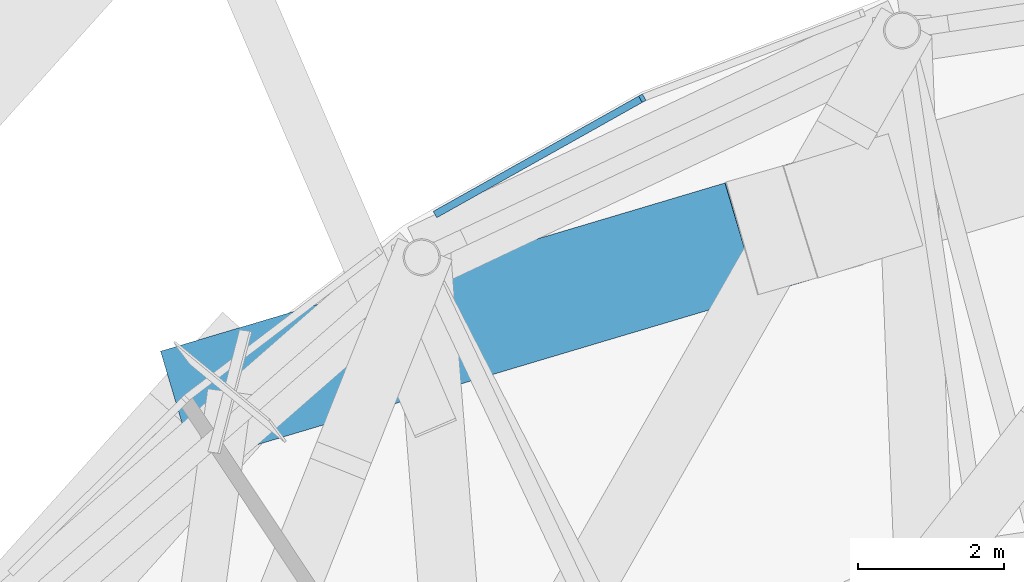
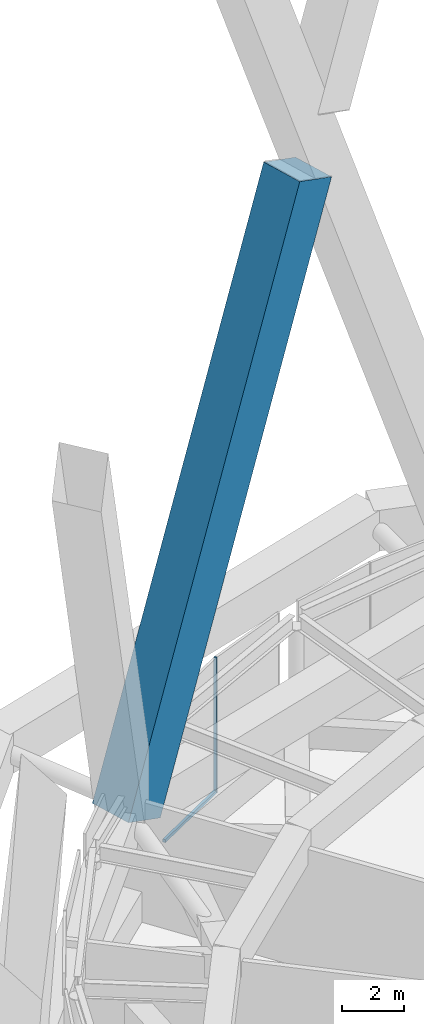
# One storey, part 42 of 65: 3 members, 1 element without a shape of its own.
"""IFC4 building model written with IfcOpenShell, lengths in metres."""

import ifcopenshell
import ifcopenshell.guid

model = None  # the IFC model being written
_history = None  # IfcOwnerHistory: only IFC2X3 demands one
_inside = {}  # id of a spatial element -> (the spatial element, [elements in it])
_under = {}  # id of a project, library or spatial element -> (it, [spatial elements below it])
_declared = {}  # id of a project -> (the project, [libraries it declares])
_typed = {}  # id of a type object -> (the type object, [elements of that type])
_made_of = {}  # id of a material, layer set ... -> (it, [elements and type objects made of it])


def new_model(schema):
    """Start an empty IFC model of exactly this schema.

    Asked for "IFC4X3", IfcOpenShell would pick the latest addendum, in which some entities
    have other attributes; the version numbers below select the first issue.
    IFC2X3 requires an IfcOwnerHistory on every rooted entity: one is made here for all.
    """
    global model, _history
    if schema == "IFC4X3":
        model = ifcopenshell.file(schema_version=(4, 3, 0, 0))
    else:
        model = ifcopenshell.file(schema=schema)
    _inside.clear()
    _under.clear()
    _declared.clear()
    _typed.clear()
    _made_of.clear()
    _history = None
    if model.schema == "IFC2X3":
        org = make("IfcOrganization", Name="unknown")
        user = make(
            "IfcPersonAndOrganization",
            ThePerson=make("IfcPerson", FamilyName="unknown"),
            TheOrganization=org,
        )
        app = make(
            "IfcApplication",
            ApplicationDeveloper=org,
            Version="unknown",
            ApplicationFullName="unknown",
            ApplicationIdentifier="unknown",
        )
        _history = make(
            "IfcOwnerHistory",
            OwningUser=user,
            OwningApplication=app,
            ChangeAction="ADDED",
            CreationDate=0,
        )
    return model


def make(cls, **values):
    """One entity of the class cls with the attributes given. An attribute that is None is left unset."""
    return model.create_entity(
        cls, **{name: value for name, value in values.items() if value is not None}
    )


def rooted(cls, **values):
    """An entity with a GlobalId (a new one), such as an element, a storey or a relation."""
    return make(cls, GlobalId=ifcopenshell.guid.new(), OwnerHistory=_history, **values)


def si_unit(unit_type, name, prefix=None):
    """IfcSIUnit, for example si_unit("LENGTHUNIT", "METRE", prefix="MILLI")."""
    return make("IfcSIUnit", UnitType=unit_type, Prefix=prefix, Name=name)


def assignment(units):
    """IfcUnitAssignment: the units of a project."""
    return None if units is None else make("IfcUnitAssignment", Units=units)


def point(xyz):
    """IfcCartesianPoint."""
    return None if xyz is None else make("IfcCartesianPoint", Coordinates=xyz)


def direction(xyz):
    """IfcDirection."""
    return None if xyz is None else make("IfcDirection", DirectionRatios=xyz)


def frame(location, z_axis=None, x_axis=None):
    """IfcAxis2Placement3D, a coordinate frame: its origin and axes. An axis left out is left unset."""
    return make(
        "IfcAxis2Placement3D",
        Location=point(location),
        Axis=direction(z_axis),
        RefDirection=direction(x_axis),
    )


def frame_2d(location, x_axis=None):
    """IfcAxis2Placement2D, a coordinate frame in the plane: its origin and x axis."""
    return make(
        "IfcAxis2Placement2D", Location=point(location), RefDirection=direction(x_axis)
    )


def origin():
    """The frame at (0, 0, 0) with its axes left unset."""
    return frame((0.0, 0.0, 0.0))


def origin_2d():
    """The frame at (0, 0) in the plane with its x axis left unset."""
    return frame_2d((0.0, 0.0))


def place(relative_to, where):
    """IfcLocalPlacement: puts the frame where relative to a parent placement (None: the world)."""
    return make(
        "IfcLocalPlacement", PlacementRelTo=relative_to, RelativePlacement=where
    )


def context(
    kind, dimensions, precision=None, world=None, true_north=None, identifier=None
):
    """IfcGeometricRepresentationContext, for example the 3D "Model" context."""
    return make(
        "IfcGeometricRepresentationContext",
        ContextIdentifier=identifier,
        ContextType=kind,
        CoordinateSpaceDimension=dimensions,
        Precision=precision,
        WorldCoordinateSystem=world,
        TrueNorth=true_north,
    )


def subcontext(parent, identifier, kind, view, scale=None):
    """IfcGeometricRepresentationSubContext, for example "Body" below "Model"."""
    return make(
        "IfcGeometricRepresentationSubContext",
        ContextIdentifier=identifier,
        ContextType=kind,
        ParentContext=parent,
        TargetScale=scale,
        TargetView=view,
    )


def project(units=None, contexts=None):
    """IfcProject with its units and contexts."""
    return rooted(
        "IfcProject",
        Name="project",
        RepresentationContexts=contexts,
        UnitsInContext=assignment(units),
    )


def spatial(cls, under=None, at=None, **own):
    """A site, building, storey or space (cls), placed at a placement, below another one or the project."""
    s = rooted(cls, ObjectPlacement=at, **own)
    if under is not None:
        _under.setdefault(under.id(), (under, []))[1].append(s)
    return s


def profile(cls, at=None, kind="AREA", **sizes):
    """A parametric profile (cls). Its sizes go by their IFC names, for example OverallWidth=200.0."""
    return make(cls, ProfileType=kind, Position=at, **sizes)


def rectangle(**sizes):
    """IfcRectangleProfileDef."""
    return profile("IfcRectangleProfileDef", **sizes)


def extrude(swept, where, along, depth):
    """IfcExtrudedAreaSolid: the profile swept, set in the frame where, extruded along a direction by depth."""
    return make(
        "IfcExtrudedAreaSolid",
        SweptArea=swept,
        Position=where,
        ExtrudedDirection=direction(along),
        Depth=depth,
    )


def shape(context_of_items, identifier, shape_type, items):
    """IfcShapeRepresentation: the items that make up one representation, for example the "Body"."""
    return make(
        "IfcShapeRepresentation",
        ContextOfItems=context_of_items,
        RepresentationIdentifier=identifier,
        RepresentationType=shape_type,
        Items=items,
    )


def material(Name=None, Category=None):
    """IfcMaterial."""
    return make("IfcMaterial", Name=Name, Category=Category)


def layer(
    of_material, thickness, ventilated=None, Name=None, Category=None, Priority=None
):
    """IfcMaterialLayer: one layer of a wall or slab, of a material (None: an air gap)."""
    return make(
        "IfcMaterialLayer",
        Material=of_material,
        LayerThickness=thickness,
        IsVentilated=ventilated,
        Name=Name,
        Category=Category,
        Priority=Priority,
    )


def layer_set(layers, Name=None):
    """IfcMaterialLayerSet."""
    return make("IfcMaterialLayerSet", MaterialLayers=layers, LayerSetName=Name)


def material_profile(
    of_material, cross_section, Name=None, Category=None, Priority=None
):
    """IfcMaterialProfile: a cross section and its material."""
    return make(
        "IfcMaterialProfile",
        Name=Name,
        Material=of_material,
        Profile=cross_section,
        Priority=Priority,
        Category=Category,
    )


def profile_set(profiles, Name=None, composite=None):
    """IfcMaterialProfileSet."""
    return make(
        "IfcMaterialProfileSet",
        Name=Name,
        MaterialProfiles=profiles,
        CompositeProfile=composite,
    )


def made_of(thing, what):
    """Note that an element or type object is made of a material, layer set ...; save() writes the relation."""
    if what is not None:
        _made_of.setdefault(what.id(), (what, []))[1].append(thing)
    return thing


def type_object(cls, material=None, **own):
    """A type object (cls), such as IfcWallType, which elements share."""
    return made_of(rooted(cls, **own), material)


def element(
    cls,
    number,
    at=None,
    inside=None,
    cuts=None,
    type_object=None,
    material=None,
    context=None,
    identifier="Body",
    shape_type=None,
    held_by="IfcProductDefinitionShape",
    body=None,
    shapes=None,
    **own,
):
    """One element of the class cls, such as IfcWall. Its Tag is "e" and its number.

    at: its placement. inside: the storey or other place that contains it. cuts: it is an
    opening in that element (IfcRelVoidsElement). A single representation is given by context,
    identifier, shape_type and body (its items); several are given by shapes. held_by: the class
    of the entity that holds the representations. save() writes the other relations.
    """
    e = rooted(cls, Tag="e%d" % number, ObjectPlacement=at, **own)
    if body is not None:
        shapes = [shape(context, identifier, shape_type, body)]
    if shapes is not None:
        e.Representation = make(held_by, Representations=shapes)
    if inside is not None:
        _inside.setdefault(inside.id(), (inside, []))[1].append(e)
    if cuts is not None:
        rooted(
            "IfcRelVoidsElement", RelatingBuildingElement=cuts, RelatedOpeningElement=e
        )
    if type_object is not None:
        _typed.setdefault(type_object.id(), (type_object, []))[1].append(e)
    return made_of(e, material)


def aggregate(whole, parts):
    """IfcRelAggregates: a whole, such as a stair, and the parts it consists of."""
    return rooted("IfcRelAggregates", RelatingObject=whole, RelatedObjects=parts)


def save(model, path):
    """Write the relations noted so far, then the file.

    IfcRelAggregates (storeys below a building ...), IfcRelContainedInSpatialStructure (elements
    in a storey), IfcRelDefinesByType, IfcRelAssociatesMaterial and IfcRelDeclares: one each for
    every whole, place, type object, material and project.
    """
    for whole, parts in _under.values():
        aggregate(whole, parts)
    for where, things in _inside.values():
        rooted(
            "IfcRelContainedInSpatialStructure",
            RelatedElements=things,
            RelatingStructure=where,
        )
    for kind, things in _typed.values():
        rooted("IfcRelDefinesByType", RelatedObjects=things, RelatingType=kind)
    for what, things in _made_of.values():
        rooted("IfcRelAssociatesMaterial", RelatedObjects=things, RelatingMaterial=what)
    for by, libraries in _declared.values():
        rooted("IfcRelDeclares", RelatingContext=by, RelatedDefinitions=libraries)
    model.write(path)


model = new_model("IFC4")

# Units and contexts
model_context = context("Model", 3, precision=1e-05, world=origin(), true_north=direction((0.0, 1.0)))
body_context = subcontext(model_context, "Body", "Model", "MODEL_VIEW")
ifc_project = project(units=[si_unit("LENGTHUNIT", "METRE"), si_unit("AREAUNIT", "SQUARE_METRE"), si_unit("VOLUMEUNIT", "CUBIC_METRE"), si_unit("PLANEANGLEUNIT", "RADIAN"), si_unit("MASSUNIT", "GRAM", prefix="KILO")], contexts=[model_context])

# Site, building, storey
site_placement = place(None, origin())
site = spatial("IfcSite", under=ifc_project, at=site_placement, CompositionType="ELEMENT")
building_placement = place(site_placement, origin())
building = spatial("IfcBuilding", under=site, at=building_placement, Name="Nagisa Residences", CompositionType="ELEMENT")
storey_placement = place(building_placement, frame((0.0, 0.0, 114.0)))
storey = spatial("IfcBuildingStorey", under=building, at=storey_placement, Name="L28", CompositionType="ELEMENT", Elevation=114.0)

# Curtain wall, members
ifc_material_1 = material(Name="Aluminium curtain wall system", Category="aluminium")
ifc_layer = layer(ifc_material_1, 0.159912109375)
ifc_layer_set = layer_set([ifc_layer], Name="CW5 CURTAIN WALL")
curtain_wall_type = type_object("IfcCurtainWallType", Name="CW5 CURTAIN WALL", PredefinedType="NOTDEFINED", material=ifc_layer_set)
curtain_wall_placement = place(storey_placement, origin())
curtain_wall = element("IfcCurtainWall", 1, at=curtain_wall_placement, inside=storey, type_object=curtain_wall_type, Name="cw:CW5:L28:15", PredefinedType="NOTDEFINED")
ifc_material_2 = material(Name="Aluminium", Category="aluminium")
ifc_material_profile_1 = material_profile(ifc_material_2, rectangle(XDim=0.10009765625, YDim=0.06005859375, at=origin_2d()), Name="CW5 MULLION 100x60")
ifc_profile_set_1 = profile_set([ifc_material_profile_1], Name="Aluminium")
member_type_1 = type_object("IfcMemberType", Name="CW5 MULLION 100x60", PredefinedType="MULLION", material=ifc_profile_set_1)
member_1_placement = place(storey_placement, frame((-12.385498046875, 32.1494140625, 0.0), z_axis=(0.0, 0.0, 1.0), x_axis=(0.489376918501, -0.872072377523, 0.0)))
member_1 = element("IfcMember", 2, at=member_1_placement, type_object=member_type_1, Name="CW5 mullion", PredefinedType="MULLION", context=body_context, shape_type="SweptSolid", body=[
    extrude(rectangle(XDim=0.10009765625, YDim=0.06005859375, at=origin_2d()), origin(), (0.0, 0.0, 1.0), 5.340087890625),
])
ifc_material_3 = material(Name="Aluminium", Category="aluminium")
ifc_material_profile_2 = material_profile(ifc_material_3, rectangle(XDim=0.10009765625, YDim=0.1201171875, at=origin_2d()), Name="CW5 TRANSOM 100x120")
ifc_profile_set_2 = profile_set([ifc_material_profile_2], Name="Aluminium")
member_type_2 = type_object("IfcMemberType", Name="CW5 TRANSOM 100x120", PredefinedType="USERDEFINED", material=ifc_profile_set_2)
member_2_placement = place(storey_placement, frame((-12.359375, 32.1640625, 0.06005859375), z_axis=(-0.87206080409, -0.489397541851, 0.0), x_axis=(0.489397541851, -0.87206080409, 0.0)))
member_2 = element("IfcMember", 3, at=member_2_placement, type_object=member_type_2, Name="CW5 transom", ObjectType="TRANSOM", PredefinedType="USERDEFINED", context=body_context, shape_type="SweptSolid", body=[
    extrude(rectangle(XDim=0.10009765625, YDim=0.1201171875, at=origin_2d()), origin(), (0.0, 0.0, 1.0), 3.275390625),
])
aggregate(curtain_wall, [member_1, member_2])

# Member
ifc_material_4 = material(Name="Concrete C80", Category="concrete")
ifc_material_profile_3 = material_profile(ifc_material_4, rectangle(XDim=1.60009765625, YDim=1.60009765625, at=origin_2d()), Name="C80 1600x1600")
ifc_profile_set_3 = profile_set([ifc_material_profile_3], Name="Concrete C80")
member_type_3 = type_object("IfcMemberType", Name="Cage diagonal 3 C80 1600x1600", PredefinedType="BRACE", material=ifc_profile_set_3)
member_3_placement = place(storey_placement, frame((-18.017578125, 28.1416015625, 3.699951171875), z_axis=(0.340639402424, 0.101570160833, 0.934691553372), x_axis=(-0.285742996868, 0.958306287019, 0.0)))
element("IfcMember", 4, at=member_3_placement, inside=storey, type_object=member_type_3, Name="mem:L28:cg3d008a", PredefinedType="BRACE", context=body_context, shape_type="SweptSolid", body=[
    extrude(rectangle(XDim=1.60009765625, YDim=1.60009765625, at=origin_2d()), origin(), (0.0, 0.0, 1.0), 22.620849609375),
])

save(model, "model.ifc")
